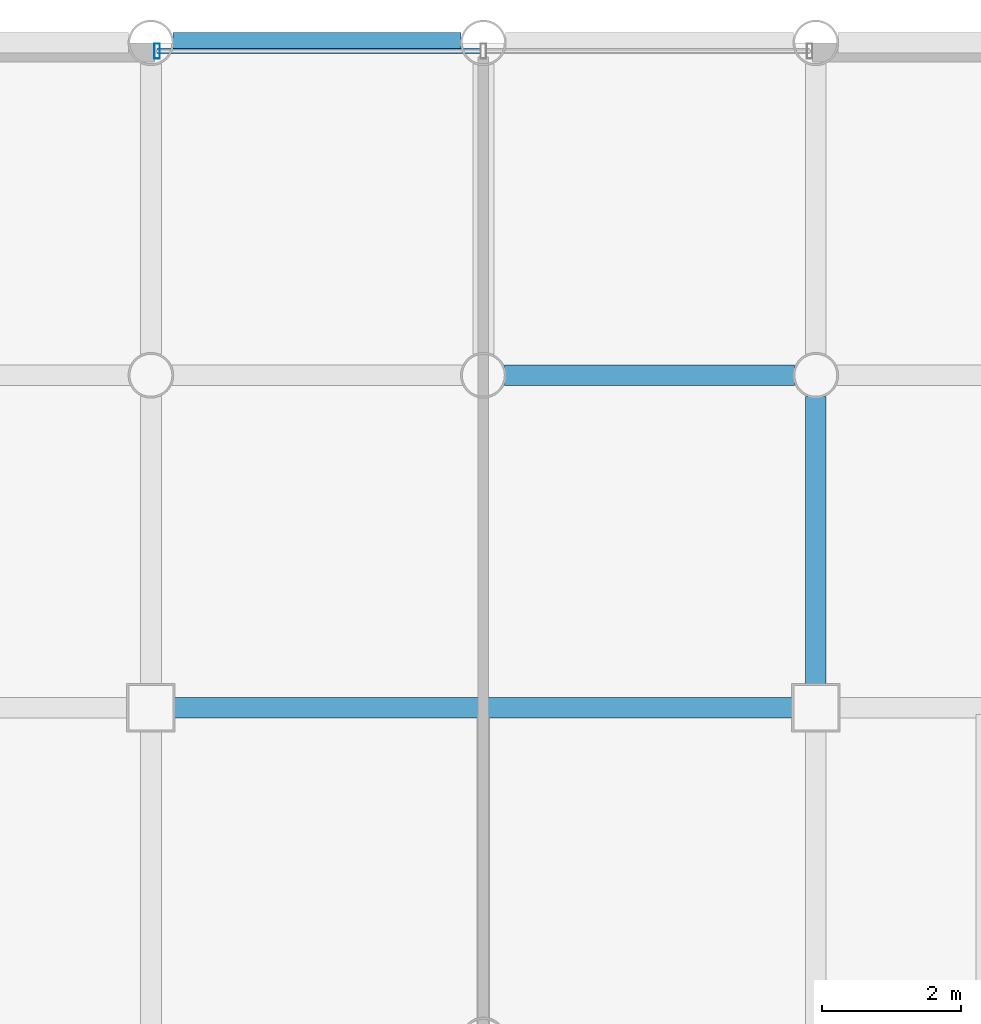
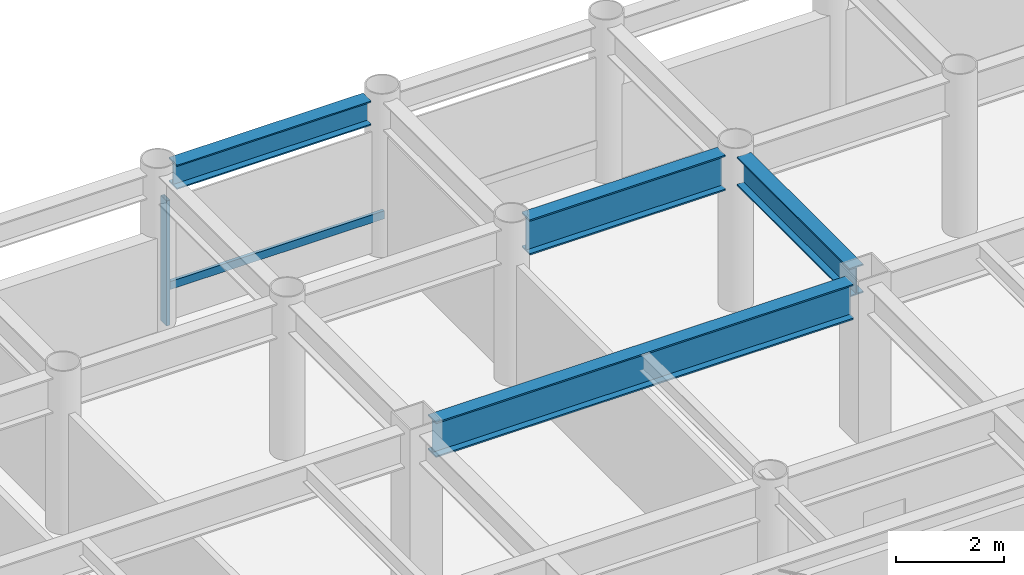
# One storey, part 12 of 19: 4 beams, 2 members, 1 element without a shape of its own.
"""IFC4 building model written with IfcOpenShell, lengths in metres."""

import ifcopenshell
import ifcopenshell.guid

model = None  # the IFC model being written
_history = None  # IfcOwnerHistory: only IFC2X3 demands one
_inside = {}  # id of a spatial element -> (the spatial element, [elements in it])
_under = {}  # id of a project, library or spatial element -> (it, [spatial elements below it])
_declared = {}  # id of a project -> (the project, [libraries it declares])
_typed = {}  # id of a type object -> (the type object, [elements of that type])
_made_of = {}  # id of a material, layer set ... -> (it, [elements and type objects made of it])


def new_model(schema):
    """Start an empty IFC model of exactly this schema.

    Asked for "IFC4X3", IfcOpenShell would pick the latest addendum, in which some entities
    have other attributes; the version numbers below select the first issue.
    IFC2X3 requires an IfcOwnerHistory on every rooted entity: one is made here for all.
    """
    global model, _history
    if schema == "IFC4X3":
        model = ifcopenshell.file(schema_version=(4, 3, 0, 0))
    else:
        model = ifcopenshell.file(schema=schema)
    _inside.clear()
    _under.clear()
    _declared.clear()
    _typed.clear()
    _made_of.clear()
    _history = None
    if model.schema == "IFC2X3":
        org = make("IfcOrganization", Name="unknown")
        user = make(
            "IfcPersonAndOrganization",
            ThePerson=make("IfcPerson", FamilyName="unknown"),
            TheOrganization=org,
        )
        app = make(
            "IfcApplication",
            ApplicationDeveloper=org,
            Version="unknown",
            ApplicationFullName="unknown",
            ApplicationIdentifier="unknown",
        )
        _history = make(
            "IfcOwnerHistory",
            OwningUser=user,
            OwningApplication=app,
            ChangeAction="ADDED",
            CreationDate=0,
        )
    return model


def make(cls, **values):
    """One entity of the class cls with the attributes given. An attribute that is None is left unset."""
    return model.create_entity(
        cls, **{name: value for name, value in values.items() if value is not None}
    )


def rooted(cls, **values):
    """An entity with a GlobalId (a new one), such as an element, a storey or a relation."""
    return make(cls, GlobalId=ifcopenshell.guid.new(), OwnerHistory=_history, **values)


def si_unit(unit_type, name, prefix=None):
    """IfcSIUnit, for example si_unit("LENGTHUNIT", "METRE", prefix="MILLI")."""
    return make("IfcSIUnit", UnitType=unit_type, Prefix=prefix, Name=name)


def assignment(units):
    """IfcUnitAssignment: the units of a project."""
    return None if units is None else make("IfcUnitAssignment", Units=units)


def point(xyz):
    """IfcCartesianPoint."""
    return None if xyz is None else make("IfcCartesianPoint", Coordinates=xyz)


def direction(xyz):
    """IfcDirection."""
    return None if xyz is None else make("IfcDirection", DirectionRatios=xyz)


def frame(location, z_axis=None, x_axis=None):
    """IfcAxis2Placement3D, a coordinate frame: its origin and axes. An axis left out is left unset."""
    return make(
        "IfcAxis2Placement3D",
        Location=point(location),
        Axis=direction(z_axis),
        RefDirection=direction(x_axis),
    )


def frame_2d(location, x_axis=None):
    """IfcAxis2Placement2D, a coordinate frame in the plane: its origin and x axis."""
    return make(
        "IfcAxis2Placement2D", Location=point(location), RefDirection=direction(x_axis)
    )


def origin():
    """The frame at (0, 0, 0) with its axes left unset."""
    return frame((0.0, 0.0, 0.0))


def origin_2d():
    """The frame at (0, 0) in the plane with its x axis left unset."""
    return frame_2d((0.0, 0.0))


def place(relative_to, where):
    """IfcLocalPlacement: puts the frame where relative to a parent placement (None: the world)."""
    return make(
        "IfcLocalPlacement", PlacementRelTo=relative_to, RelativePlacement=where
    )


def context(
    kind, dimensions, precision=None, world=None, true_north=None, identifier=None
):
    """IfcGeometricRepresentationContext, for example the 3D "Model" context."""
    return make(
        "IfcGeometricRepresentationContext",
        ContextIdentifier=identifier,
        ContextType=kind,
        CoordinateSpaceDimension=dimensions,
        Precision=precision,
        WorldCoordinateSystem=world,
        TrueNorth=true_north,
    )


def subcontext(parent, identifier, kind, view, scale=None):
    """IfcGeometricRepresentationSubContext, for example "Body" below "Model"."""
    return make(
        "IfcGeometricRepresentationSubContext",
        ContextIdentifier=identifier,
        ContextType=kind,
        ParentContext=parent,
        TargetScale=scale,
        TargetView=view,
    )


def project(units=None, contexts=None):
    """IfcProject with its units and contexts."""
    return rooted(
        "IfcProject",
        Name="project",
        RepresentationContexts=contexts,
        UnitsInContext=assignment(units),
    )


def spatial(cls, under=None, at=None, **own):
    """A site, building, storey or space (cls), placed at a placement, below another one or the project."""
    s = rooted(cls, ObjectPlacement=at, **own)
    if under is not None:
        _under.setdefault(under.id(), (under, []))[1].append(s)
    return s


def profile(cls, at=None, kind="AREA", **sizes):
    """A parametric profile (cls). Its sizes go by their IFC names, for example OverallWidth=200.0."""
    return make(cls, ProfileType=kind, Position=at, **sizes)


def hollow_rectangle(**sizes):
    """IfcRectangleHollowProfileDef."""
    return profile("IfcRectangleHollowProfileDef", **sizes)


def i_section(**sizes):
    """IfcIShapeProfileDef."""
    return profile("IfcIShapeProfileDef", **sizes)


def extrude(swept, where, along, depth):
    """IfcExtrudedAreaSolid: the profile swept, set in the frame where, extruded along a direction by depth."""
    return make(
        "IfcExtrudedAreaSolid",
        SweptArea=swept,
        Position=where,
        ExtrudedDirection=direction(along),
        Depth=depth,
    )


def shape(context_of_items, identifier, shape_type, items):
    """IfcShapeRepresentation: the items that make up one representation, for example the "Body"."""
    return make(
        "IfcShapeRepresentation",
        ContextOfItems=context_of_items,
        RepresentationIdentifier=identifier,
        RepresentationType=shape_type,
        Items=items,
    )


def material(Name=None, Category=None):
    """IfcMaterial."""
    return make("IfcMaterial", Name=Name, Category=Category)


def layer(
    of_material, thickness, ventilated=None, Name=None, Category=None, Priority=None
):
    """IfcMaterialLayer: one layer of a wall or slab, of a material (None: an air gap)."""
    return make(
        "IfcMaterialLayer",
        Material=of_material,
        LayerThickness=thickness,
        IsVentilated=ventilated,
        Name=Name,
        Category=Category,
        Priority=Priority,
    )


def layer_set(layers, Name=None):
    """IfcMaterialLayerSet."""
    return make("IfcMaterialLayerSet", MaterialLayers=layers, LayerSetName=Name)


def material_profile(
    of_material, cross_section, Name=None, Category=None, Priority=None
):
    """IfcMaterialProfile: a cross section and its material."""
    return make(
        "IfcMaterialProfile",
        Name=Name,
        Material=of_material,
        Profile=cross_section,
        Priority=Priority,
        Category=Category,
    )


def profile_set(profiles, Name=None, composite=None):
    """IfcMaterialProfileSet."""
    return make(
        "IfcMaterialProfileSet",
        Name=Name,
        MaterialProfiles=profiles,
        CompositeProfile=composite,
    )


def made_of(thing, what):
    """Note that an element or type object is made of a material, layer set ...; save() writes the relation."""
    if what is not None:
        _made_of.setdefault(what.id(), (what, []))[1].append(thing)
    return thing


def type_object(cls, material=None, **own):
    """A type object (cls), such as IfcWallType, which elements share."""
    return made_of(rooted(cls, **own), material)


def element(
    cls,
    number,
    at=None,
    inside=None,
    cuts=None,
    type_object=None,
    material=None,
    context=None,
    identifier="Body",
    shape_type=None,
    held_by="IfcProductDefinitionShape",
    body=None,
    shapes=None,
    **own,
):
    """One element of the class cls, such as IfcWall. Its Tag is "e" and its number.

    at: its placement. inside: the storey or other place that contains it. cuts: it is an
    opening in that element (IfcRelVoidsElement). A single representation is given by context,
    identifier, shape_type and body (its items); several are given by shapes. held_by: the class
    of the entity that holds the representations. save() writes the other relations.
    """
    e = rooted(cls, Tag="e%d" % number, ObjectPlacement=at, **own)
    if body is not None:
        shapes = [shape(context, identifier, shape_type, body)]
    if shapes is not None:
        e.Representation = make(held_by, Representations=shapes)
    if inside is not None:
        _inside.setdefault(inside.id(), (inside, []))[1].append(e)
    if cuts is not None:
        rooted(
            "IfcRelVoidsElement", RelatingBuildingElement=cuts, RelatedOpeningElement=e
        )
    if type_object is not None:
        _typed.setdefault(type_object.id(), (type_object, []))[1].append(e)
    return made_of(e, material)


def aggregate(whole, parts):
    """IfcRelAggregates: a whole, such as a stair, and the parts it consists of."""
    return rooted("IfcRelAggregates", RelatingObject=whole, RelatedObjects=parts)


def save(model, path):
    """Write the relations noted so far, then the file.

    IfcRelAggregates (storeys below a building ...), IfcRelContainedInSpatialStructure (elements
    in a storey), IfcRelDefinesByType, IfcRelAssociatesMaterial and IfcRelDeclares: one each for
    every whole, place, type object, material and project.
    """
    for whole, parts in _under.values():
        aggregate(whole, parts)
    for where, things in _inside.values():
        rooted(
            "IfcRelContainedInSpatialStructure",
            RelatedElements=things,
            RelatingStructure=where,
        )
    for kind, things in _typed.values():
        rooted("IfcRelDefinesByType", RelatedObjects=things, RelatingType=kind)
    for what, things in _made_of.values():
        rooted("IfcRelAssociatesMaterial", RelatedObjects=things, RelatingMaterial=what)
    for by, libraries in _declared.values():
        rooted("IfcRelDeclares", RelatingContext=by, RelatedDefinitions=libraries)
    model.write(path)


model = new_model("IFC4")

# Units and contexts
model_context = context("Model", 3, precision=1e-05, world=origin(), true_north=direction((0.0, 1.0)))
body_context = subcontext(model_context, "Body", "Model", "MODEL_VIEW")
ifc_project = project(units=[si_unit("LENGTHUNIT", "METRE"), si_unit("AREAUNIT", "SQUARE_METRE"), si_unit("VOLUMEUNIT", "CUBIC_METRE"), si_unit("PLANEANGLEUNIT", "RADIAN"), si_unit("MASSUNIT", "GRAM", prefix="KILO")], contexts=[model_context])

# Site, building, storey
site_placement = place(None, origin())
site = spatial("IfcSite", under=ifc_project, at=site_placement, CompositionType="ELEMENT")
building_placement = place(site_placement, origin())
building = spatial("IfcBuilding", under=site, at=building_placement, Name="Kallvorn Hotel Tower", CompositionType="ELEMENT")
storey_placement = place(building_placement, frame((0.0, 0.0, 147.0)))
storey = spatial("IfcBuildingStorey", under=building, at=storey_placement, Name="L36", CompositionType="ELEMENT", Elevation=147.0)

# Beams
ifc_material_1 = material(Name="Structural steel S355JR", Category="steel")
ifc_material_profile_1 = material_profile(ifc_material_1, i_section(OverallWidth=0.300048828125, OverallDepth=0.550048828125, WebThickness=0.014892578125, FlangeThickness=0.029052734375, at=origin_2d()), Name="HE 550 B")
ifc_profile_set_1 = profile_set([ifc_material_profile_1], Name="Structural steel S355JR")
beam_type_1 = type_object("IfcBeamType", Name="BM_HE550B", PredefinedType="SPANDREL", material=ifc_profile_set_1)
beam_1_placement = place(storey_placement, frame((-4.47998046875, 24.0, 3.2451171875), z_axis=(1.0, 0.0, 0.0), x_axis=(0.0, 1.0, 0.0)))
element("IfcBeam", 1, at=beam_1_placement, inside=storey, type_object=beam_type_1, Name="L37 Perimeter Spandrel 168", PredefinedType="SPANDREL", context=body_context, shape_type="SweptSolid", body=[
    extrude(i_section(OverallWidth=0.300048828125, OverallDepth=0.550048828125, WebThickness=0.014892578125, FlangeThickness=0.029052734375, at=origin_2d()), origin(), (0.0, 0.0, 1.0), 4.159912109375),
])
ifc_material_2 = material(Name="Structural steel S355JR", Category="steel")
ifc_material_profile_2 = material_profile(ifc_material_2, i_section(OverallWidth=0.300048828125, OverallDepth=0.64990234375, WebThickness=0.01611328125, FlangeThickness=0.031005859375, at=origin_2d()), Name="HE 650 B")
ifc_profile_set_2 = profile_set([ifc_material_profile_2], Name="Structural steel S355JR")
beam_type_2 = type_object("IfcBeamType", Name="BM_HE650B", PredefinedType="BEAM", material=ifc_profile_set_2)
beam_2_placement = place(storey_placement, frame((4.800048828125, 14.72509765625, 3.195068359375), z_axis=(0.0, 1.0, 0.0), x_axis=(-1.0, 0.0, 0.0)))
element("IfcBeam", 2, at=beam_2_placement, inside=storey, type_object=beam_type_2, Name="L37 Primary Y-Girder 117", PredefinedType="BEAM", context=body_context, shape_type="SweptSolid", body=[
    extrude(i_section(OverallWidth=0.300048828125, OverallDepth=0.64990234375, WebThickness=0.01611328125, FlangeThickness=0.031005859375, at=origin_2d()), origin(), (0.0, 0.0, 1.0), 4.169921875),
])
ifc_material_3 = material(Name="Structural steel S355JR", Category="steel")
ifc_material_profile_3 = material_profile(ifc_material_3, i_section(OverallWidth=0.300048828125, OverallDepth=0.800048828125, WebThickness=0.017578125, FlangeThickness=0.032958984375, at=origin_2d()), Name="HE 800 B")
ifc_profile_set_3 = profile_set([ifc_material_profile_3], Name="Structural steel S355JR")
beam_type_3 = type_object("IfcBeamType", Name="BM_HE800B", PredefinedType="BEAM", material=ifc_profile_set_3)
beam_3_placement = place(storey_placement, frame((-4.47509765625, 14.39990234375, 3.1201171875), z_axis=(1.0, 0.0, 0.0), x_axis=(0.0, 1.0, 0.0)))
element("IfcBeam", 3, at=beam_3_placement, inside=storey, type_object=beam_type_3, Name="L37 Primary X-Girder 55", PredefinedType="BEAM", context=body_context, shape_type="SweptSolid", body=[
    extrude(i_section(OverallWidth=0.300048828125, OverallDepth=0.800048828125, WebThickness=0.017578125, FlangeThickness=0.032958984375, at=origin_2d()), origin(), (0.0, 0.0, 1.0), 8.9501953125),
])
beam_4_placement = place(storey_placement, frame((0.304931640625, 19.199951171875, 3.1201171875), z_axis=(1.0, 0.0, 0.0), x_axis=(0.0, 1.0, 0.0)))
element("IfcBeam", 4, at=beam_4_placement, inside=storey, type_object=beam_type_3, Name="L37 Primary X-Girder 67", PredefinedType="BEAM", context=body_context, shape_type="SweptSolid", body=[
    extrude(i_section(OverallWidth=0.300048828125, OverallDepth=0.800048828125, WebThickness=0.017578125, FlangeThickness=0.032958984375, at=origin_2d()), origin(), (0.0, 0.0, 1.0), 4.190185546875),
])

# Curtain wall, members
ifc_material_4 = material(Name="Thermally broken black-anodised aluminium AA 6063-T6", Category="aluminium")
ifc_layer = layer(ifc_material_4, 0.2099609375)
ifc_layer_set = layer_set([ifc_layer], Name="CW_SYS_4_HOTEL_MID")
curtain_wall_type = type_object("IfcCurtainWallType", Name="CW_SYS_4_HOTEL_MID", PredefinedType="USERDEFINED", material=ifc_layer_set)
curtain_wall_placement = place(storey_placement, origin())
curtain_wall = element("IfcCurtainWall", 5, at=curtain_wall_placement, inside=storey, type_object=curtain_wall_type, Name="L36 Dark-Glass Curtain Wall CW-L36-NC", ObjectType="UNITISED CURTAIN WALL", PredefinedType="USERDEFINED")
ifc_material_5 = material(Name="Thermally broken black-anodised aluminium AA 6063-T6", Category="aluminium")
ifc_material_profile_4 = material_profile(ifc_material_5, hollow_rectangle(XDim=0.080078125, YDim=0.219970703125, WallThickness=0.0048828125, at=origin_2d()), Name="MUL 220x80")
ifc_profile_set_4 = profile_set([ifc_material_profile_4], Name="Thermally broken black-anodised aluminium AA 6063-T6")
member_type_1 = type_object("IfcMemberType", Name="CW_MULLION_220x80", PredefinedType="MULLION", material=ifc_profile_set_4)
member_1_placement = place(storey_placement, frame((-4.7099609375, 23.8798828125, 0.02001953125), z_axis=(0.0, 0.0, 1.0), x_axis=(1.0, 0.0, 0.0)))
member_1 = element("IfcMember", 6, at=member_1_placement, type_object=member_type_1, Name="CW-L36-NC Mullion 00", PredefinedType="MULLION", context=body_context, shape_type="SweptSolid", body=[
    extrude(hollow_rectangle(XDim=0.080078125, YDim=0.219970703125, WallThickness=0.0048828125, at=origin_2d()), origin(), (0.0, 0.0, 1.0), 2.830078125),
])
ifc_material_6 = material(Name="Thermally broken black-anodised aluminium AA 6063-T6", Category="aluminium")
ifc_material_profile_5 = material_profile(ifc_material_6, hollow_rectangle(XDim=0.070068359375, YDim=0.179931640625, WallThickness=0.00390625, at=origin_2d()), Name="TRN 180x70")
ifc_profile_set_5 = profile_set([ifc_material_profile_5], Name="Thermally broken black-anodised aluminium AA 6063-T6")
member_type_2 = type_object("IfcMemberType", Name="CW_TRANSOM_180x70", PredefinedType="USERDEFINED", material=ifc_profile_set_5)
member_2_placement = place(storey_placement, frame((-4.7099609375, 23.8798828125, 0.85009765625), z_axis=(1.0, 0.0, 0.0), x_axis=(0.0, 1.0, 0.0)))
member_2 = element("IfcMember", 7, at=member_2_placement, type_object=member_type_2, Name="CW-L36-NC Transom 00M", ObjectType="TRANSOM", PredefinedType="USERDEFINED", context=body_context, shape_type="SweptSolid", body=[
    extrude(hollow_rectangle(XDim=0.070068359375, YDim=0.179931640625, WallThickness=0.00390625, at=origin_2d()), origin(), (0.0, 0.0, 1.0), 4.669921875),
])
aggregate(curtain_wall, [member_1, member_2])

save(model, "model.ifc")
